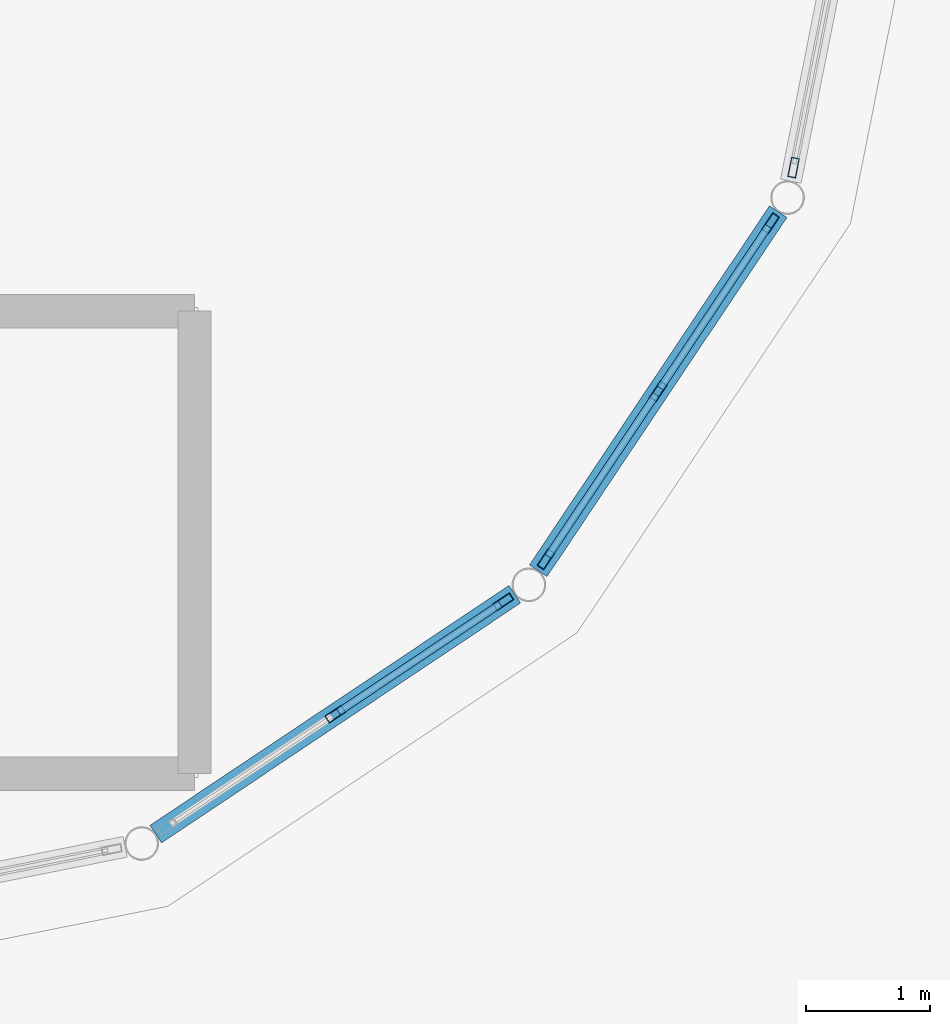
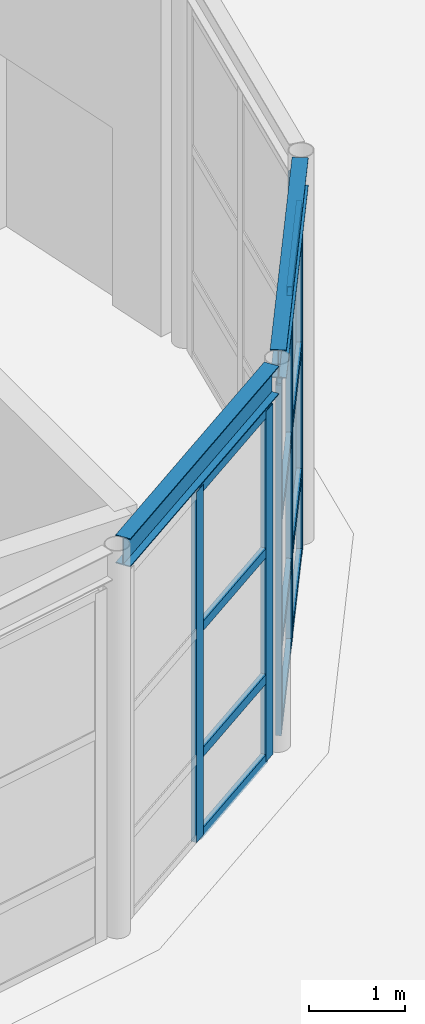
# One storey, part 25 of 57: 18 members, 2 beams, 3 elements without a shape of their own.
"""IFC4 building model written with IfcOpenShell, lengths in metres."""

from ifc_helpers import new_model, si_unit, direction, frame, origin, origin_2d, place, context, subcontext, project, spatial, hollow_rectangle, i_section, extrude, material, layer, layer_set, material_profile, profile_set, type_object, element, aggregate, save


model = new_model("IFC4")

# Units and contexts
model_context = context("Model", 3, precision=1e-05, world=origin(), true_north=direction((0.0, 1.0)))
body_context = subcontext(model_context, "Body", "Model", "MODEL_VIEW")
ifc_project = project(units=[si_unit("LENGTHUNIT", "METRE"), si_unit("AREAUNIT", "SQUARE_METRE"), si_unit("VOLUMEUNIT", "CUBIC_METRE"), si_unit("PLANEANGLEUNIT", "RADIAN"), si_unit("MASSUNIT", "GRAM", prefix="KILO")], contexts=[model_context])

# Site, building, storey
site_placement = place(None, origin())
site = spatial("IfcSite", under=ifc_project, at=site_placement, CompositionType="ELEMENT")
building_placement = place(site_placement, origin())
building = spatial("IfcBuilding", under=site, at=building_placement, Name="Kharisveld Research Institute", CompositionType="ELEMENT")
storey_placement = place(building_placement, origin())
storey = spatial("IfcBuildingStorey", under=building, at=storey_placement, Name="L00", CompositionType="ELEMENT", Elevation=0.0)

# Beams
ifc_material_1 = material(Name="Steel S355JR", Category="steel")
ifc_material_profile_1 = material_profile(ifc_material_1, i_section(OverallWidth=0.169921875, OverallDepth=0.360107421875, WebThickness=0.008056640625, FlangeThickness=0.0126953125, at=origin_2d()))
ifc_profile_set_1 = profile_set([ifc_material_profile_1], Name="Steel S355JR")
beam_type = type_object("IfcBeamType", Name="BM_ST_IPE360", PredefinedType="BEAM", material=ifc_profile_set_1)
for number, where, z_axis, x_axis, name in (
    (1, (63.306396484375, 41.96044921875, 4.739990234375), (0.831479839999, 0.555554925885, 0.0), (-0.555554925885, 0.831479839999, 0.0), "BM:V6:L00:RING13"),
    (2, (66.3994140625, 44.08984375, 4.739990234375), (0.555554925885, 0.831479839999, 0.0), (-0.831479839999, 0.555554925885, 0.0), "BM:V6:L00:RING14"),
):
    element("IfcBeam", number, at=place(storey_placement, frame(where, z_axis=z_axis, x_axis=x_axis)), inside=storey, type_object=beam_type, Name=name, PredefinedType="BEAM", context=body_context, shape_type="SweptSolid", body=[
        extrude(i_section(OverallWidth=0.169921875, OverallDepth=0.360107421875, WebThickness=0.008056640625, FlangeThickness=0.0126953125, at=origin_2d()), origin(), (0.0, 0.0, 1.0), 3.492431640625),
    ])

# Curtain wall, members
ifc_material_2 = material(Name="Thermally Broken Aluminium Curtain Wall", Category="aluminium")
ifc_layer_1 = layer(ifc_material_2, 0.159912109375)
ifc_layer_set_1 = layer_set([ifc_layer_1], Name="CW_SYS_04")
curtain_wall_type_1 = type_object("IfcCurtainWallType", Name="CW_SYS_04", PredefinedType="NOTDEFINED", material=ifc_layer_set_1)
curtain_wall_1_placement = place(storey_placement, origin())
curtain_wall_1 = element("IfcCurtainWall", 3, at=curtain_wall_1_placement, inside=storey, type_object=curtain_wall_type_1, Name="CW:V6:L00:CHORD13", PredefinedType="NOTDEFINED")
ifc_material_3 = material(Name="Anodised Aluminium AW-6063-T6", Category="aluminium")
ifc_material_profile_2 = material_profile(ifc_material_3, hollow_rectangle(XDim=0.06494140625, YDim=0.159912109375, WallThickness=0.00390625, at=origin_2d()))
ifc_profile_set_2 = profile_set([ifc_material_profile_2], Name="Anodised Aluminium AW-6063-T6")
member_type_1 = type_object("IfcMemberType", Name="CW_MUL_160", PredefinedType="MULLION", material=ifc_profile_set_2)
member_1_placement = place(storey_placement, frame((66.11767578125, 43.8388671875, 0.0), z_axis=(0.0, 0.0, 1.0), x_axis=(0.555570109828, -0.831469694616, 0.0)))
member_1 = element("IfcMember", 4, at=member_1_placement, type_object=member_type_1, Name="CW-04 mullion 1", PredefinedType="MULLION", context=body_context, shape_type="SweptSolid", body=[
    extrude(hollow_rectangle(XDim=0.06494140625, YDim=0.159912109375, WallThickness=0.00390625, at=origin_2d()), origin(), (0.0, 0.0, 1.0), 4.449951171875),
])
member_2_placement = place(storey_placement, frame((64.75830078125, 42.930419921875, 0.0), z_axis=(0.0, 0.0, 1.0), x_axis=(0.555570109828, -0.831469694616, 0.0)))
member_2 = element("IfcMember", 5, at=member_2_placement, type_object=member_type_1, Name="CW-04 mullion 2", PredefinedType="MULLION", context=body_context, shape_type="SweptSolid", body=[
    extrude(hollow_rectangle(XDim=0.06494140625, YDim=0.159912109375, WallThickness=0.00390625, at=origin_2d()), origin(), (0.0, 0.0, 1.0), 4.449951171875),
])

ifc_material_4 = material(Name="Thermally Broken Aluminium Curtain Wall", Category="aluminium")
ifc_layer_2 = layer(ifc_material_4, 0.159912109375)
ifc_layer_set_2 = layer_set([ifc_layer_2], Name="CW_SYS_05")
curtain_wall_type_2 = type_object("IfcCurtainWallType", Name="CW_SYS_05", PredefinedType="NOTDEFINED", material=ifc_layer_set_2)
curtain_wall_2_placement = place(storey_placement, origin())
curtain_wall_2 = element("IfcCurtainWall", 6, at=curtain_wall_2_placement, inside=storey, type_object=curtain_wall_type_2, Name="CW:V6:L00:CHORD14", PredefinedType="NOTDEFINED")
member_3_placement = place(storey_placement, frame((68.27783203125, 46.9013671875, 0.0), z_axis=(0.0, 0.0, 1.0), x_axis=(0.831469694616, -0.555570109828, 0.0)))
member_3 = element("IfcMember", 7, at=member_3_placement, type_object=member_type_1, Name="CW-05 mullion 1", PredefinedType="MULLION", context=body_context, shape_type="SweptSolid", body=[
    extrude(hollow_rectangle(XDim=0.06494140625, YDim=0.159912109375, WallThickness=0.00390625, at=origin_2d()), origin(), (0.0, 0.0, 1.0), 4.449951171875),
])
member_4_placement = place(storey_placement, frame((67.36962890625, 45.541748046875, 0.0), z_axis=(0.0, 0.0, 1.0), x_axis=(0.831469694616, -0.555570109828, 0.0)))
member_4 = element("IfcMember", 8, at=member_4_placement, type_object=member_type_1, Name="CW-05 mullion 2", PredefinedType="MULLION", context=body_context, shape_type="SweptSolid", body=[
    extrude(hollow_rectangle(XDim=0.06494140625, YDim=0.159912109375, WallThickness=0.00390625, at=origin_2d()), origin(), (0.0, 0.0, 1.0), 4.449951171875),
])
member_5_placement = place(storey_placement, frame((66.461181640625, 44.18212890625, 0.0), z_axis=(0.0, 0.0, 1.0), x_axis=(0.831469694616, -0.555570109828, 0.0)))
member_5 = element("IfcMember", 9, at=member_5_placement, type_object=member_type_1, Name="CW-05 mullion 3", PredefinedType="MULLION", context=body_context, shape_type="SweptSolid", body=[
    extrude(hollow_rectangle(XDim=0.06494140625, YDim=0.159912109375, WallThickness=0.00390625, at=origin_2d()), origin(), (0.0, 0.0, 1.0), 4.449951171875),
])

# Curtain wall, member
ifc_material_5 = material(Name="Thermally Broken Aluminium Curtain Wall", Category="aluminium")
ifc_layer_3 = layer(ifc_material_5, 0.159912109375)
ifc_layer_set_3 = layer_set([ifc_layer_3], Name="CW_SYS_06")
curtain_wall_type_3 = type_object("IfcCurtainWallType", Name="CW_SYS_06", PredefinedType="NOTDEFINED", material=ifc_layer_set_3)
curtain_wall_3_placement = place(storey_placement, origin())
curtain_wall_3 = element("IfcCurtainWall", 10, at=curtain_wall_3_placement, inside=storey, type_object=curtain_wall_type_3, Name="CW:V6:L00:CHORD15", PredefinedType="NOTDEFINED")
member_6_placement = place(storey_placement, frame((68.463623046875, 47.349853515625, 0.0), z_axis=(0.0, 0.0, 1.0), x_axis=(0.980785199106, -0.195090730724, 0.0)))
member_6 = element("IfcMember", 11, at=member_6_placement, type_object=member_type_1, Name="CW-06 mullion 3", PredefinedType="MULLION", context=body_context, shape_type="SweptSolid", body=[
    extrude(hollow_rectangle(XDim=0.06494140625, YDim=0.159912109375, WallThickness=0.00390625, at=origin_2d()), origin(), (0.0, 0.0, 1.0), 4.449951171875),
])
aggregate(curtain_wall_3, [member_6])

# Member
ifc_material_6 = material(Name="Anodised Aluminium AW-6063-T6", Category="aluminium")
ifc_material_profile_3 = material_profile(ifc_material_6, hollow_rectangle(XDim=0.06005859375, YDim=0.1201171875, WallThickness=0.00390625, at=origin_2d()))
ifc_profile_set_3 = profile_set([ifc_material_profile_3], Name="Anodised Aluminium AW-6063-T6")
member_type_2 = type_object("IfcMemberType", Name="CW_TRN_120", PredefinedType="USERDEFINED", material=ifc_profile_set_3)
member_7_placement = place(storey_placement, frame((66.0908203125, 43.82080078125, 0.030029296875), z_axis=(-0.831499729939, -0.555525156147, 0.0), x_axis=(0.555525156147, -0.831499729939, 0.0)))
member_7 = element("IfcMember", 12, at=member_7_placement, type_object=member_type_2, Name="CW-04 transom 1.1", ObjectType="TRANSOM", PredefinedType="USERDEFINED", context=body_context, shape_type="SweptSolid", body=[
    extrude(hollow_rectangle(XDim=0.06005859375, YDim=0.1201171875, WallThickness=0.00390625, at=origin_2d()), origin(), (0.0, 0.0, 1.0), 1.5703125),
])

member_8_placement = place(storey_placement, frame((66.0908203125, 43.82080078125, 1.050048828125), z_axis=(-0.831499729939, -0.555525156147, 0.0), x_axis=(0.555525156147, -0.831499729939, 0.0)))
member_8 = element("IfcMember", 13, at=member_8_placement, type_object=member_type_2, Name="CW-04 transom 1.2", ObjectType="TRANSOM", PredefinedType="USERDEFINED", context=body_context, shape_type="SweptSolid", body=[
    extrude(hollow_rectangle(XDim=0.06005859375, YDim=0.1201171875, WallThickness=0.00390625, at=origin_2d()), origin(), (0.0, 0.0, 1.0), 1.5703125),
])

member_9_placement = place(storey_placement, frame((66.0908203125, 43.82080078125, 2.64990234375), z_axis=(-0.831499729939, -0.555525156147, 0.0), x_axis=(0.555525156147, -0.831499729939, 0.0)))
member_9 = element("IfcMember", 14, at=member_9_placement, type_object=member_type_2, Name="CW-04 transom 1.3", ObjectType="TRANSOM", PredefinedType="USERDEFINED", context=body_context, shape_type="SweptSolid", body=[
    extrude(hollow_rectangle(XDim=0.06005859375, YDim=0.1201171875, WallThickness=0.00390625, at=origin_2d()), origin(), (0.0, 0.0, 1.0), 1.5703125),
])

member_10_placement = place(storey_placement, frame((66.0908203125, 43.82080078125, 4.419921875), z_axis=(-0.831499729939, -0.555525156147, 0.0), x_axis=(0.555525156147, -0.831499729939, 0.0)))
member_10 = element("IfcMember", 15, at=member_10_placement, type_object=member_type_2, Name="CW-04 transom 1.4", ObjectType="TRANSOM", PredefinedType="USERDEFINED", context=body_context, shape_type="SweptSolid", body=[
    extrude(hollow_rectangle(XDim=0.06005859375, YDim=0.1201171875, WallThickness=0.00390625, at=origin_2d()), origin(), (0.0, 0.0, 1.0), 1.5703125),
])

aggregate(curtain_wall_1, [member_1, member_2, member_7, member_8, member_9, member_10])

member_11_placement = place(storey_placement, frame((68.259765625, 46.874267578125, 0.030029296875), z_axis=(-0.555596981897, -0.831451738652, 0.0), x_axis=(0.831451738652, -0.555596981897, 0.0)))
member_11 = element("IfcMember", 16, at=member_11_placement, type_object=member_type_2, Name="CW-05 transom 1.1", ObjectType="TRANSOM", PredefinedType="USERDEFINED", context=body_context, shape_type="SweptSolid", body=[
    extrude(hollow_rectangle(XDim=0.06005859375, YDim=0.1201171875, WallThickness=0.00390625, at=origin_2d()), origin(), (0.0, 0.0, 1.0), 1.570068359375),
])

member_12_placement = place(storey_placement, frame((68.259765625, 46.874267578125, 1.050048828125), z_axis=(-0.555596981897, -0.831451738652, 0.0), x_axis=(0.831451738652, -0.555596981897, 0.0)))
member_12 = element("IfcMember", 17, at=member_12_placement, type_object=member_type_2, Name="CW-05 transom 1.2", ObjectType="TRANSOM", PredefinedType="USERDEFINED", context=body_context, shape_type="SweptSolid", body=[
    extrude(hollow_rectangle(XDim=0.06005859375, YDim=0.1201171875, WallThickness=0.00390625, at=origin_2d()), origin(), (0.0, 0.0, 1.0), 1.570068359375),
])

member_13_placement = place(storey_placement, frame((68.259765625, 46.874267578125, 2.64990234375), z_axis=(-0.555596981897, -0.831451738652, 0.0), x_axis=(0.831451738652, -0.555596981897, 0.0)))
member_13 = element("IfcMember", 18, at=member_13_placement, type_object=member_type_2, Name="CW-05 transom 1.3", ObjectType="TRANSOM", PredefinedType="USERDEFINED", context=body_context, shape_type="SweptSolid", body=[
    extrude(hollow_rectangle(XDim=0.06005859375, YDim=0.1201171875, WallThickness=0.00390625, at=origin_2d()), origin(), (0.0, 0.0, 1.0), 1.570068359375),
])

member_14_placement = place(storey_placement, frame((68.259765625, 46.874267578125, 4.419921875), z_axis=(-0.555596981897, -0.831451738652, 0.0), x_axis=(0.831451738652, -0.555596981897, 0.0)))
member_14 = element("IfcMember", 19, at=member_14_placement, type_object=member_type_2, Name="CW-05 transom 1.4", ObjectType="TRANSOM", PredefinedType="USERDEFINED", context=body_context, shape_type="SweptSolid", body=[
    extrude(hollow_rectangle(XDim=0.06005859375, YDim=0.1201171875, WallThickness=0.00390625, at=origin_2d()), origin(), (0.0, 0.0, 1.0), 1.570068359375),
])

member_15_placement = place(storey_placement, frame((67.3515625, 45.5146484375, 0.030029296875), z_axis=(-0.555596981897, -0.831451738652, 0.0), x_axis=(0.831451738652, -0.555596981897, 0.0)))
member_15 = element("IfcMember", 20, at=member_15_placement, type_object=member_type_2, Name="CW-05 transom 2.1", ObjectType="TRANSOM", PredefinedType="USERDEFINED", context=body_context, shape_type="SweptSolid", body=[
    extrude(hollow_rectangle(XDim=0.06005859375, YDim=0.1201171875, WallThickness=0.00390625, at=origin_2d()), origin(), (0.0, 0.0, 1.0), 1.570068359375),
])

member_16_placement = place(storey_placement, frame((67.3515625, 45.5146484375, 1.050048828125), z_axis=(-0.555596981897, -0.831451738652, 0.0), x_axis=(0.831451738652, -0.555596981897, 0.0)))
member_16 = element("IfcMember", 21, at=member_16_placement, type_object=member_type_2, Name="CW-05 transom 2.2", ObjectType="TRANSOM", PredefinedType="USERDEFINED", context=body_context, shape_type="SweptSolid", body=[
    extrude(hollow_rectangle(XDim=0.06005859375, YDim=0.1201171875, WallThickness=0.00390625, at=origin_2d()), origin(), (0.0, 0.0, 1.0), 1.570068359375),
])

member_17_placement = place(storey_placement, frame((67.3515625, 45.5146484375, 2.64990234375), z_axis=(-0.555596981897, -0.831451738652, 0.0), x_axis=(0.831451738652, -0.555596981897, 0.0)))
member_17 = element("IfcMember", 22, at=member_17_placement, type_object=member_type_2, Name="CW-05 transom 2.3", ObjectType="TRANSOM", PredefinedType="USERDEFINED", context=body_context, shape_type="SweptSolid", body=[
    extrude(hollow_rectangle(XDim=0.06005859375, YDim=0.1201171875, WallThickness=0.00390625, at=origin_2d()), origin(), (0.0, 0.0, 1.0), 1.570068359375),
])

member_18_placement = place(storey_placement, frame((67.3515625, 45.5146484375, 4.419921875), z_axis=(-0.555596981897, -0.831451738652, 0.0), x_axis=(0.831451738652, -0.555596981897, 0.0)))
member_18 = element("IfcMember", 23, at=member_18_placement, type_object=member_type_2, Name="CW-05 transom 2.4", ObjectType="TRANSOM", PredefinedType="USERDEFINED", context=body_context, shape_type="SweptSolid", body=[
    extrude(hollow_rectangle(XDim=0.06005859375, YDim=0.1201171875, WallThickness=0.00390625, at=origin_2d()), origin(), (0.0, 0.0, 1.0), 1.570068359375),
])

aggregate(curtain_wall_2, [member_3, member_4, member_5, member_11, member_12, member_13, member_14, member_15, member_16, member_17, member_18])

save(model, "model.ifc")
